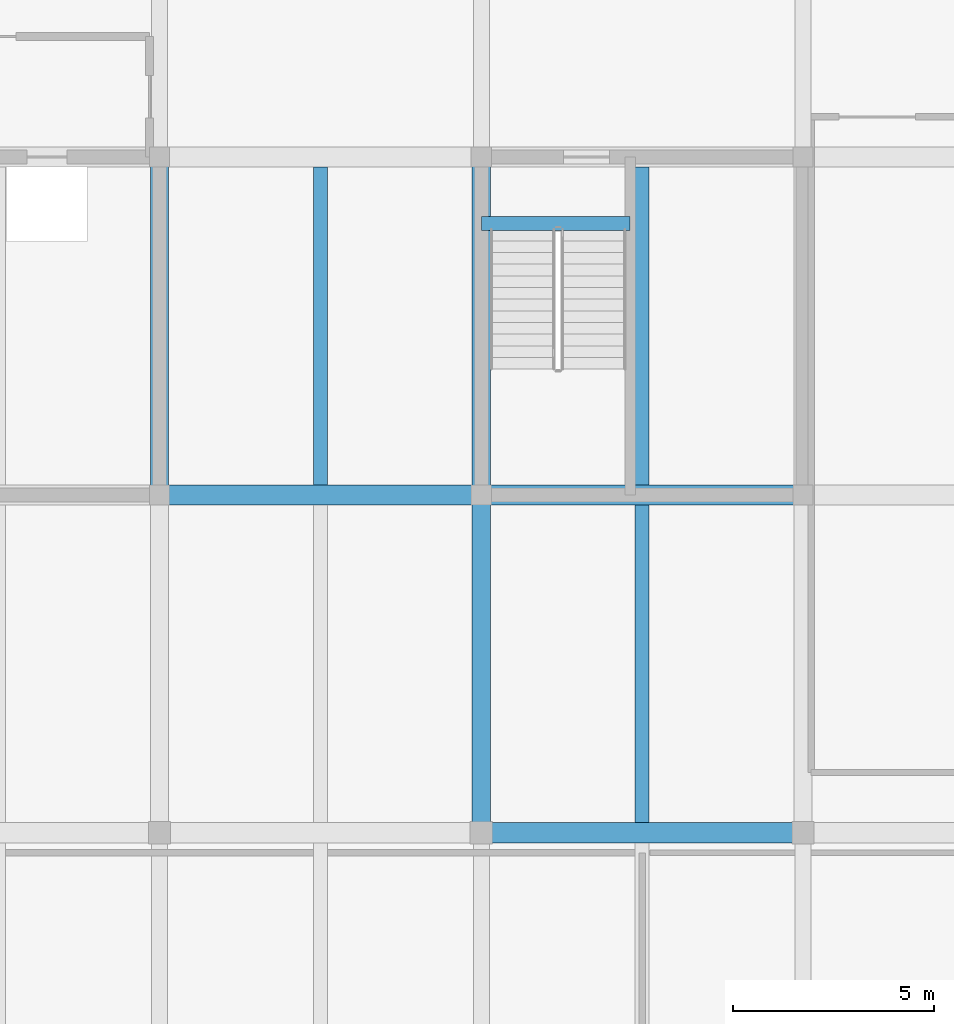
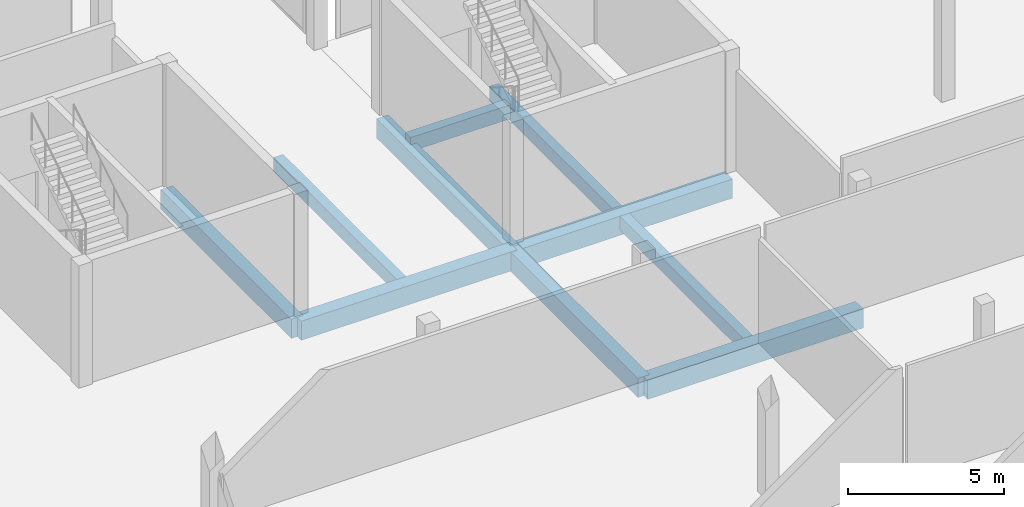
# One storey, part 12 of 47: 10 beams.
"""IFC4 building model written with IfcOpenShell, lengths in metres."""

import ifcopenshell
import ifcopenshell.guid

model = None  # the IFC model being written
_history = None  # IfcOwnerHistory: only IFC2X3 demands one
_inside = {}  # id of a spatial element -> (the spatial element, [elements in it])
_under = {}  # id of a project, library or spatial element -> (it, [spatial elements below it])
_declared = {}  # id of a project -> (the project, [libraries it declares])
_typed = {}  # id of a type object -> (the type object, [elements of that type])
_made_of = {}  # id of a material, layer set ... -> (it, [elements and type objects made of it])


def new_model(schema):
    """Start an empty IFC model of exactly this schema.

    Asked for "IFC4X3", IfcOpenShell would pick the latest addendum, in which some entities
    have other attributes; the version numbers below select the first issue.
    IFC2X3 requires an IfcOwnerHistory on every rooted entity: one is made here for all.
    """
    global model, _history
    if schema == "IFC4X3":
        model = ifcopenshell.file(schema_version=(4, 3, 0, 0))
    else:
        model = ifcopenshell.file(schema=schema)
    _inside.clear()
    _under.clear()
    _declared.clear()
    _typed.clear()
    _made_of.clear()
    _history = None
    if model.schema == "IFC2X3":
        org = make("IfcOrganization", Name="unknown")
        user = make(
            "IfcPersonAndOrganization",
            ThePerson=make("IfcPerson", FamilyName="unknown"),
            TheOrganization=org,
        )
        app = make(
            "IfcApplication",
            ApplicationDeveloper=org,
            Version="unknown",
            ApplicationFullName="unknown",
            ApplicationIdentifier="unknown",
        )
        _history = make(
            "IfcOwnerHistory",
            OwningUser=user,
            OwningApplication=app,
            ChangeAction="ADDED",
            CreationDate=0,
        )
    return model


def make(cls, **values):
    """One entity of the class cls with the attributes given. An attribute that is None is left unset."""
    return model.create_entity(
        cls, **{name: value for name, value in values.items() if value is not None}
    )


def rooted(cls, **values):
    """An entity with a GlobalId (a new one), such as an element, a storey or a relation."""
    return make(cls, GlobalId=ifcopenshell.guid.new(), OwnerHistory=_history, **values)


def si_unit(unit_type, name, prefix=None):
    """IfcSIUnit, for example si_unit("LENGTHUNIT", "METRE", prefix="MILLI")."""
    return make("IfcSIUnit", UnitType=unit_type, Prefix=prefix, Name=name)


def assignment(units):
    """IfcUnitAssignment: the units of a project."""
    return None if units is None else make("IfcUnitAssignment", Units=units)


def point(xyz):
    """IfcCartesianPoint."""
    return None if xyz is None else make("IfcCartesianPoint", Coordinates=xyz)


def direction(xyz):
    """IfcDirection."""
    return None if xyz is None else make("IfcDirection", DirectionRatios=xyz)


def frame(location, z_axis=None, x_axis=None):
    """IfcAxis2Placement3D, a coordinate frame: its origin and axes. An axis left out is left unset."""
    return make(
        "IfcAxis2Placement3D",
        Location=point(location),
        Axis=direction(z_axis),
        RefDirection=direction(x_axis),
    )


def frame_2d(location, x_axis=None):
    """IfcAxis2Placement2D, a coordinate frame in the plane: its origin and x axis."""
    return make(
        "IfcAxis2Placement2D", Location=point(location), RefDirection=direction(x_axis)
    )


def origin():
    """The frame at (0, 0, 0) with its axes left unset."""
    return frame((0.0, 0.0, 0.0))


def origin_2d():
    """The frame at (0, 0) in the plane with its x axis left unset."""
    return frame_2d((0.0, 0.0))


def place(relative_to, where):
    """IfcLocalPlacement: puts the frame where relative to a parent placement (None: the world)."""
    return make(
        "IfcLocalPlacement", PlacementRelTo=relative_to, RelativePlacement=where
    )


def context(
    kind, dimensions, precision=None, world=None, true_north=None, identifier=None
):
    """IfcGeometricRepresentationContext, for example the 3D "Model" context."""
    return make(
        "IfcGeometricRepresentationContext",
        ContextIdentifier=identifier,
        ContextType=kind,
        CoordinateSpaceDimension=dimensions,
        Precision=precision,
        WorldCoordinateSystem=world,
        TrueNorth=true_north,
    )


def subcontext(parent, identifier, kind, view, scale=None):
    """IfcGeometricRepresentationSubContext, for example "Body" below "Model"."""
    return make(
        "IfcGeometricRepresentationSubContext",
        ContextIdentifier=identifier,
        ContextType=kind,
        ParentContext=parent,
        TargetScale=scale,
        TargetView=view,
    )


def project(units=None, contexts=None):
    """IfcProject with its units and contexts."""
    return rooted(
        "IfcProject",
        Name="project",
        RepresentationContexts=contexts,
        UnitsInContext=assignment(units),
    )


def spatial(cls, under=None, at=None, **own):
    """A site, building, storey or space (cls), placed at a placement, below another one or the project."""
    s = rooted(cls, ObjectPlacement=at, **own)
    if under is not None:
        _under.setdefault(under.id(), (under, []))[1].append(s)
    return s


def profile(cls, at=None, kind="AREA", **sizes):
    """A parametric profile (cls). Its sizes go by their IFC names, for example OverallWidth=200.0."""
    return make(cls, ProfileType=kind, Position=at, **sizes)


def rectangle(**sizes):
    """IfcRectangleProfileDef."""
    return profile("IfcRectangleProfileDef", **sizes)


def extrude(swept, where, along, depth):
    """IfcExtrudedAreaSolid: the profile swept, set in the frame where, extruded along a direction by depth."""
    return make(
        "IfcExtrudedAreaSolid",
        SweptArea=swept,
        Position=where,
        ExtrudedDirection=direction(along),
        Depth=depth,
    )


def shape(context_of_items, identifier, shape_type, items):
    """IfcShapeRepresentation: the items that make up one representation, for example the "Body"."""
    return make(
        "IfcShapeRepresentation",
        ContextOfItems=context_of_items,
        RepresentationIdentifier=identifier,
        RepresentationType=shape_type,
        Items=items,
    )


def material(Name=None, Category=None):
    """IfcMaterial."""
    return make("IfcMaterial", Name=Name, Category=Category)


def material_profile(
    of_material, cross_section, Name=None, Category=None, Priority=None
):
    """IfcMaterialProfile: a cross section and its material."""
    return make(
        "IfcMaterialProfile",
        Name=Name,
        Material=of_material,
        Profile=cross_section,
        Priority=Priority,
        Category=Category,
    )


def profile_set(profiles, Name=None, composite=None):
    """IfcMaterialProfileSet."""
    return make(
        "IfcMaterialProfileSet",
        Name=Name,
        MaterialProfiles=profiles,
        CompositeProfile=composite,
    )


def made_of(thing, what):
    """Note that an element or type object is made of a material, layer set ...; save() writes the relation."""
    if what is not None:
        _made_of.setdefault(what.id(), (what, []))[1].append(thing)
    return thing


def type_object(cls, material=None, **own):
    """A type object (cls), such as IfcWallType, which elements share."""
    return made_of(rooted(cls, **own), material)


def element(
    cls,
    number,
    at=None,
    inside=None,
    cuts=None,
    type_object=None,
    material=None,
    context=None,
    identifier="Body",
    shape_type=None,
    held_by="IfcProductDefinitionShape",
    body=None,
    shapes=None,
    **own,
):
    """One element of the class cls, such as IfcWall. Its Tag is "e" and its number.

    at: its placement. inside: the storey or other place that contains it. cuts: it is an
    opening in that element (IfcRelVoidsElement). A single representation is given by context,
    identifier, shape_type and body (its items); several are given by shapes. held_by: the class
    of the entity that holds the representations. save() writes the other relations.
    """
    e = rooted(cls, Tag="e%d" % number, ObjectPlacement=at, **own)
    if body is not None:
        shapes = [shape(context, identifier, shape_type, body)]
    if shapes is not None:
        e.Representation = make(held_by, Representations=shapes)
    if inside is not None:
        _inside.setdefault(inside.id(), (inside, []))[1].append(e)
    if cuts is not None:
        rooted(
            "IfcRelVoidsElement", RelatingBuildingElement=cuts, RelatedOpeningElement=e
        )
    if type_object is not None:
        _typed.setdefault(type_object.id(), (type_object, []))[1].append(e)
    return made_of(e, material)


def aggregate(whole, parts):
    """IfcRelAggregates: a whole, such as a stair, and the parts it consists of."""
    return rooted("IfcRelAggregates", RelatingObject=whole, RelatedObjects=parts)


def save(model, path):
    """Write the relations noted so far, then the file.

    IfcRelAggregates (storeys below a building ...), IfcRelContainedInSpatialStructure (elements
    in a storey), IfcRelDefinesByType, IfcRelAssociatesMaterial and IfcRelDeclares: one each for
    every whole, place, type object, material and project.
    """
    for whole, parts in _under.values():
        aggregate(whole, parts)
    for where, things in _inside.values():
        rooted(
            "IfcRelContainedInSpatialStructure",
            RelatedElements=things,
            RelatingStructure=where,
        )
    for kind, things in _typed.values():
        rooted("IfcRelDefinesByType", RelatedObjects=things, RelatingType=kind)
    for what, things in _made_of.values():
        rooted("IfcRelAssociatesMaterial", RelatedObjects=things, RelatingMaterial=what)
    for by, libraries in _declared.values():
        rooted("IfcRelDeclares", RelatingContext=by, RelatedDefinitions=libraries)
    model.write(path)


model = new_model("IFC4")

# Units and contexts
model_context = context("Model", 3, precision=1e-05, world=origin(), true_north=direction((0.0, 1.0)))
body_context = subcontext(model_context, "Body", "Model", "MODEL_VIEW")
ifc_project = project(units=[si_unit("LENGTHUNIT", "METRE"), si_unit("AREAUNIT", "SQUARE_METRE"), si_unit("VOLUMEUNIT", "CUBIC_METRE"), si_unit("PLANEANGLEUNIT", "RADIAN"), si_unit("MASSUNIT", "GRAM", prefix="KILO")], contexts=[model_context])

# Site, building, storey
site_placement = place(None, origin())
site = spatial("IfcSite", under=ifc_project, at=site_placement, CompositionType="ELEMENT")
building_placement = place(site_placement, origin())
building = spatial("IfcBuilding", under=site, at=building_placement, Name="Vharandega Faculty of Natural Sciences", CompositionType="ELEMENT")
storey_placement = place(building_placement, frame((0.0, 0.0, 5.39990234375)))
storey = spatial("IfcBuildingStorey", under=building, at=storey_placement, Name="L01", CompositionType="ELEMENT", Elevation=5.39990234375)

# Beams
ifc_material_1 = material(Name="Concrete C40/50", Category="concrete")
ifc_material_profile_1 = material_profile(ifc_material_1, rectangle(XDim=0.5, YDim=0.75, at=origin_2d()), Name="RC 500x750")
ifc_profile_set_1 = profile_set([ifc_material_profile_1], Name="Concrete C40/50")
beam_type_1 = type_object("IfcBeamType", Name="Podium Primary Beam 500x750", PredefinedType="BEAM", material=ifc_profile_set_1)
for number, where, z_axis, x_axis, name in (
    (1, (24.0, 64.0, -0.65478515625), (1.0, 0.0, 0.0), (0.0, 1.0, 0.0), "Beam L01 J/4-5"),
    (2, (16.0, 72.39990234375, -0.635009765625), (1.0, 0.0, 0.0), (0.0, 1.0, 0.0), "Beam L01 K/3-4"),
    (3, (24.0, 72.39990234375, -0.65478515625), (1.0, 0.0, 0.0), (0.0, 1.0, 0.0), "Beam L01 K/4-5"),
):
    element("IfcBeam", number, at=place(storey_placement, frame(where, z_axis=z_axis, x_axis=x_axis)), inside=storey, type_object=beam_type_1, Name=name, PredefinedType="BEAM", context=body_context, shape_type="SweptSolid", body=[
        extrude(rectangle(XDim=0.5, YDim=0.75, at=origin_2d()), origin(), (0.0, 0.0, 1.0), 8.0),
    ])
ifc_material_2 = material(Name="Concrete C40/50", Category="concrete")
ifc_material_profile_2 = material_profile(ifc_material_2, rectangle(XDim=0.35009765625, YDim=0.550048828125, at=origin_2d()), Name="RC 350x550")
ifc_profile_set_2 = profile_set([ifc_material_profile_2], Name="Concrete C40/50")
beam_type_2 = type_object("IfcBeamType", Name="Podium Secondary Beam 350x550", PredefinedType="JOIST", material=ifc_profile_set_2)
beam_1_placement = place(storey_placement, frame((20.0, 72.64990234375, -0.534912109375), z_axis=(0.0, 1.0, 0.0), x_axis=(-1.0, 0.0, 0.0)))
element("IfcBeam", 4, at=beam_1_placement, inside=storey, type_object=beam_type_2, Name="Secondary Joist L01 3-4/K-L", PredefinedType="JOIST", context=body_context, shape_type="SweptSolid", body=[
    extrude(rectangle(XDim=0.35009765625, YDim=0.550048828125, at=origin_2d()), origin(), (0.0, 0.0, 1.0), 7.900146484375),
])
beam_2_placement = place(storey_placement, frame((28.0, 64.25, -0.554931640625), z_axis=(0.0, 1.0, 0.0), x_axis=(-1.0, 0.0, 0.0)))
element("IfcBeam", 5, at=beam_2_placement, inside=storey, type_object=beam_type_2, Name="Secondary Joist L01 4-5/J-K", PredefinedType="JOIST", context=body_context, shape_type="SweptSolid", body=[
    extrude(rectangle(XDim=0.35009765625, YDim=0.550048828125, at=origin_2d()), origin(), (0.0, 0.0, 1.0), 7.89990234375),
])
beam_3_placement = place(storey_placement, frame((28.0, 72.64990234375, -0.554931640625), z_axis=(0.0, 1.0, 0.0), x_axis=(-1.0, 0.0, 0.0)))
element("IfcBeam", 6, at=beam_3_placement, inside=storey, type_object=beam_type_2, Name="Secondary Joist L01 4-5/K-L", PredefinedType="JOIST", context=body_context, shape_type="SweptSolid", body=[
    extrude(rectangle(XDim=0.35009765625, YDim=0.550048828125, at=origin_2d()), origin(), (0.0, 0.0, 1.0), 7.900146484375),
])
ifc_material_3 = material(Name="Concrete C40/50", Category="concrete")
ifc_material_profile_3 = material_profile(ifc_material_3, rectangle(XDim=0.449951171875, YDim=0.75, at=origin_2d()), Name="RC 450x750")
ifc_profile_set_3 = profile_set([ifc_material_profile_3], Name="Concrete C40/50")
beam_type_3 = type_object("IfcBeamType", Name="Podium Spine Beam 450x750", PredefinedType="BEAM", material=ifc_profile_set_3)
beam_4_placement = place(storey_placement, frame((16.0, 72.39990234375, -0.635009765625), z_axis=(0.0, 1.0, 0.0), x_axis=(-1.0, 0.0, 0.0)))
element("IfcBeam", 7, at=beam_4_placement, inside=storey, type_object=beam_type_3, Name="Beam L01 3/K-L", PredefinedType="BEAM", context=body_context, shape_type="SweptSolid", body=[
    extrude(rectangle(XDim=0.449951171875, YDim=0.75, at=origin_2d()), origin(), (0.0, 0.0, 1.0), 8.400146484375),
])
beam_5_placement = place(storey_placement, frame((24.0, 64.0, -0.65478515625), z_axis=(0.0, 1.0, 0.0), x_axis=(-1.0, 0.0, 0.0)))
element("IfcBeam", 8, at=beam_5_placement, inside=storey, type_object=beam_type_3, Name="Beam L01 4/J-K", PredefinedType="BEAM", context=body_context, shape_type="SweptSolid", body=[
    extrude(rectangle(XDim=0.449951171875, YDim=0.75, at=origin_2d()), origin(), (0.0, 0.0, 1.0), 8.39990234375),
])
beam_6_placement = place(storey_placement, frame((24.0, 72.39990234375, -0.65478515625), z_axis=(0.0, 1.0, 0.0), x_axis=(-1.0, 0.0, 0.0)))
element("IfcBeam", 9, at=beam_6_placement, inside=storey, type_object=beam_type_3, Name="Beam L01 4/K-L", PredefinedType="BEAM", context=body_context, shape_type="SweptSolid", body=[
    extrude(rectangle(XDim=0.449951171875, YDim=0.75, at=origin_2d()), origin(), (0.0, 0.0, 1.0), 8.400146484375),
])
ifc_material_4 = material(Name="Concrete C40/50", Category="concrete")
ifc_material_profile_4 = material_profile(ifc_material_4, rectangle(XDim=0.35009765625, YDim=0.550048828125, at=origin_2d()), Name="RC 350x550")
ifc_profile_set_4 = profile_set([ifc_material_profile_4], Name="Concrete C40/50")
beam_type_4 = type_object("IfcBeamType", Name="Stair Header Trimmer Beam 350x550", PredefinedType="BEAM", material=ifc_profile_set_4)
beam_7_placement = place(storey_placement, frame((24.0, 79.14990234375, -0.27490234375), z_axis=(1.0, 0.0, 0.0), x_axis=(0.0, 1.0, 0.0)))
element("IfcBeam", 10, at=beam_7_placement, inside=storey, type_object=beam_type_4, Name="Stair Landing Trimmer Beam C6 L01", PredefinedType="BEAM", context=body_context, shape_type="SweptSolid", body=[
    extrude(rectangle(XDim=0.35009765625, YDim=0.550048828125, at=origin_2d()), origin(), (0.0, 0.0, 1.0), 3.699951171875),
])

save(model, "model.ifc")
